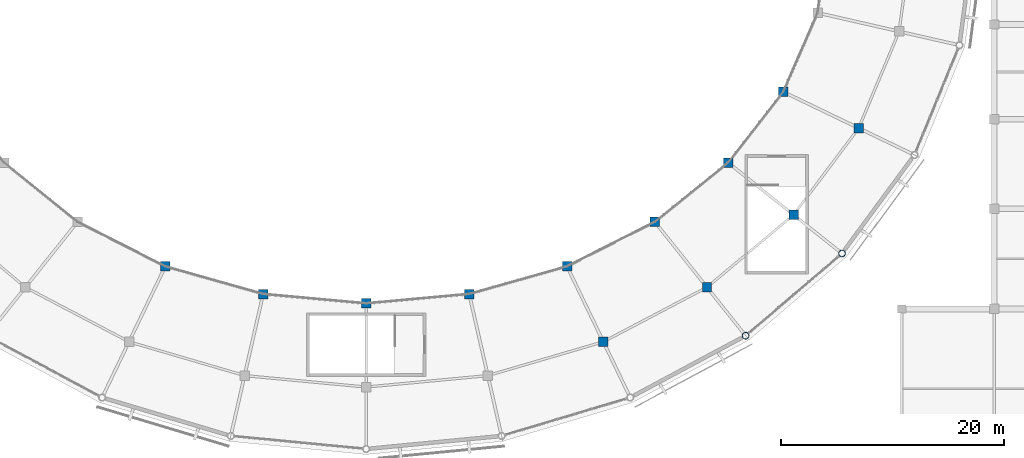
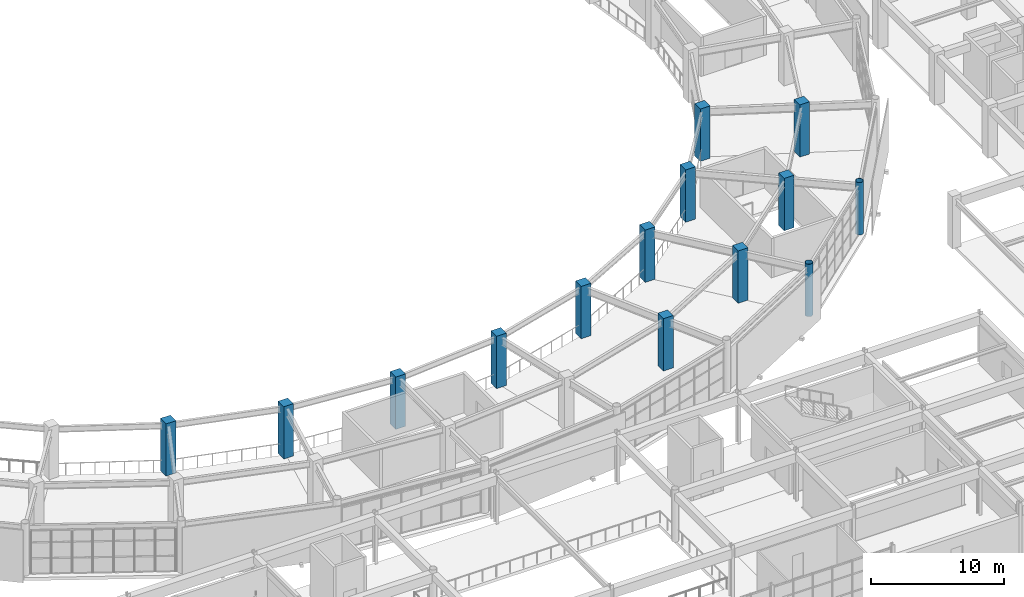
# One storey, part 6 of 112: 14 columns.
"""IFC4 building model written with IfcOpenShell, lengths in metres."""

from ifc_helpers import new_model, si_unit, direction, frame, origin, origin_2d, place, context, subcontext, project, spatial, rectangle, hollow_circle, extrude, material, material_profile, profile_set, type_object, element, save


model = new_model("IFC4")

# Units and contexts
model_context = context("Model", 3, precision=1e-05, world=origin(), true_north=direction((0.0, 1.0)))
body_context = subcontext(model_context, "Body", "Model", "MODEL_VIEW")
ifc_project = project(units=[si_unit("LENGTHUNIT", "METRE"), si_unit("AREAUNIT", "SQUARE_METRE"), si_unit("VOLUMEUNIT", "CUBIC_METRE"), si_unit("PLANEANGLEUNIT", "RADIAN"), si_unit("MASSUNIT", "GRAM", prefix="KILO")], contexts=[model_context])

# Site, building, storey
site_placement = place(None, origin())
site = spatial("IfcSite", under=ifc_project, at=site_placement, CompositionType="ELEMENT")
building_placement = place(site_placement, origin())
building = spatial("IfcBuilding", under=site, at=building_placement, Name="Cuetzalor Civic Arena", CompositionType="ELEMENT")
storey_placement = place(building_placement, frame((0.0, 0.0, 11.39990234375)))
storey = spatial("IfcBuildingStorey", under=building, at=storey_placement, Name="L02", CompositionType="ELEMENT", Elevation=11.39990234375)

# Columns
ifc_material_1 = material(Name="Concrete C40/50", Category="concrete")
ifc_material_profile_1 = material_profile(ifc_material_1, rectangle(XDim=0.85009765625, YDim=0.85009765625, at=origin_2d()), Name="RC 850x850")
ifc_profile_set_1 = profile_set([ifc_material_profile_1], Name="Concrete C40/50")
column_type_1 = type_object("IfcColumnType", Name="ConcreteColumn_850", PredefinedType="COLUMN", material=ifc_profile_set_1)
for number, where, z_axis, x_axis, name in (
    (1, (-18.006103515625, -30.1826171875, 0.0), (0.0, 0.0, 1.0), (1.0, 0.0, 0.0), "Column V1-MID-20 L02"),
    (2, (-9.234619140625, -32.66015625, 0.0), (0.0, 0.0, 1.0), (1.0, 0.0, 0.0), "Column V1-MID-21 L02"),
    (3, (0.0, -33.5, 0.0), (0.0, 0.0, 1.0), (1.0, 0.0, 0.0), "Column V1-MID-22 L02"),
    (4, (9.234619140625, -32.66015625, 0.0), (0.0, 0.0, 1.0), (1.0, 0.0, 0.0), "Column V1-MID-23 L02"),
    (5, (21.26025390625, -36.939697265625, 0.0), (0.0, 0.0, 1.0), (1.0, 0.0, 0.0), "Column V1-REC-24 L02"),
    (6, (18.006103515625, -30.1826171875, 0.0), (0.0, 0.0, 1.0), (1.0, 0.0, 0.0), "Column V1-MID-24 L02"),
    (7, (30.551025390625, -32.05517578125, 0.0), (0.0, 0.0, 1.0), (1.0, 0.0, 0.0), "Column V1-REC-25 L02"),
    (8, (25.874755859375, -26.19140625, 0.0), (0.0, 0.0, 1.0), (1.0, 0.0, 0.0), "Column V1-MID-25 L02"),
    (9, (38.309814453125, -25.56298828125, 0.0), (0.0, 0.0, 1.0), (1.0, 0.0, 0.0), "Column V1-REC-26 L02"),
    (10, (32.446044921875, -20.886962890625, 0.0), (0.0, 0.0, 1.0), (1.0, 0.0, 0.0), "Column V1-MID-26 L02"),
    (11, (44.1474609375, -17.789306640625, 0.0), (0.0, 0.0, 1.0), (1.0, 0.0, 0.0), "Column V1-REC-27 L02"),
    (12, (37.39013671875, -14.53515625, 0.0), (0.0, 0.0, 1.0), (1.0, 0.0, 0.0), "Column V1-MID-27 L02"),
):
    element("IfcColumn", number, at=place(storey_placement, frame(where, z_axis=z_axis, x_axis=x_axis)), inside=storey, type_object=column_type_1, Name=name, PredefinedType="COLUMN", context=body_context, shape_type="SweptSolid", body=[
        extrude(rectangle(XDim=0.85009765625, YDim=0.85009765625, at=origin_2d()), origin(), (0.0, 0.0, 1.0), 4.800048828125),
    ])
ifc_material_2 = material(Name="Steel S355", Category="steel")
ifc_material_profile_2 = material_profile(ifc_material_2, hollow_circle(Radius=0.304931640625, WallThickness=0.02490234375, at=origin_2d()), Name="CHS 610x25")
ifc_profile_set_2 = profile_set([ifc_material_profile_2], Name="Steel S355")
column_type_2 = type_object("IfcColumnType", Name="SteelDomePylon_CHS610", PredefinedType="COLUMN", material=ifc_profile_set_2)
for number, where, z_axis, x_axis, name in (
    (13, (34.011474609375, -36.394287109375, 0.0), (0.0, 0.0, 1.0), (1.0, 0.0, 0.0), "Column V1-PYL-25 L02"),
    (14, (42.64892578125, -29.0234375, 0.0), (0.0, 0.0, 1.0), (1.0, 0.0, 0.0), "Column V1-PYL-26 L02"),
):
    element("IfcColumn", number, at=place(storey_placement, frame(where, z_axis=z_axis, x_axis=x_axis)), inside=storey, type_object=column_type_2, Name=name, PredefinedType="COLUMN", context=body_context, shape_type="SweptSolid", body=[
        extrude(hollow_circle(Radius=0.304931640625, WallThickness=0.02490234375, at=origin_2d()), origin(), (0.0, 0.0, 1.0), 4.800048828125),
    ])

save(model, "model.ifc")
